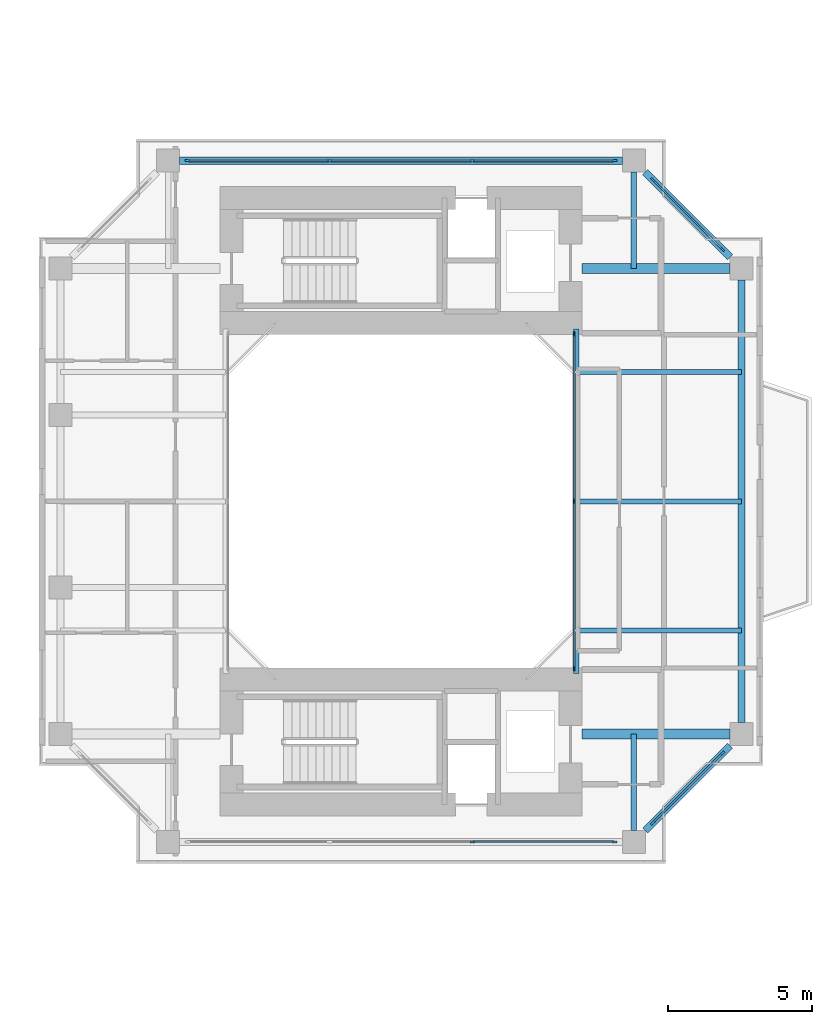
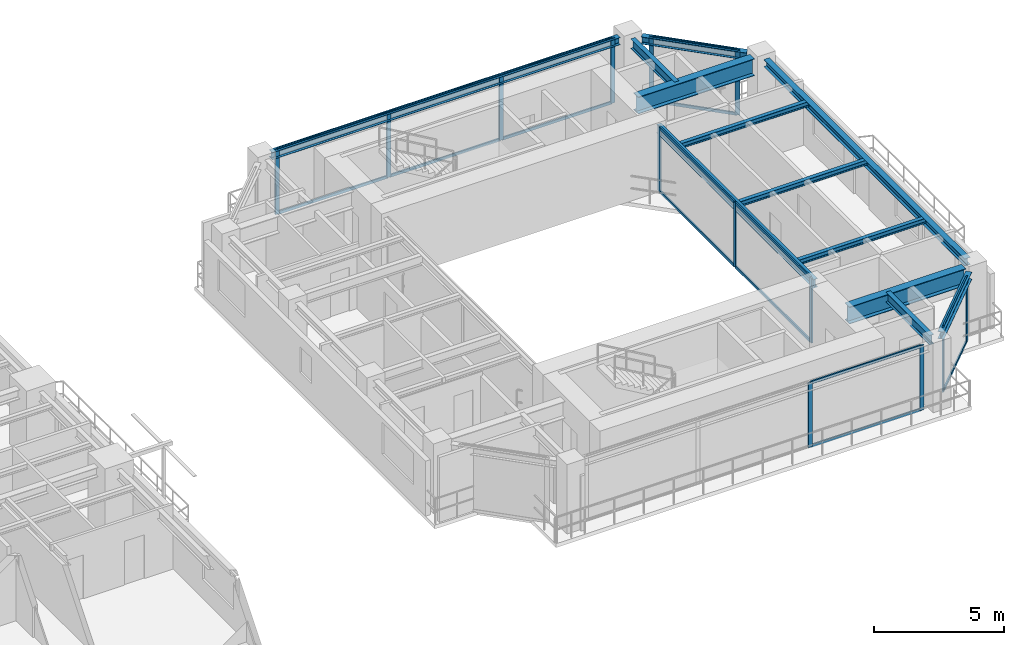
# One storey, part 10 of 23: 29 members, 12 beams, 5 elements without a shape of their own.
"""IFC4 building model written with IfcOpenShell, lengths in metres."""

import ifcopenshell
import ifcopenshell.guid

model = None  # the IFC model being written
_history = None  # IfcOwnerHistory: only IFC2X3 demands one
_inside = {}  # id of a spatial element -> (the spatial element, [elements in it])
_under = {}  # id of a project, library or spatial element -> (it, [spatial elements below it])
_declared = {}  # id of a project -> (the project, [libraries it declares])
_typed = {}  # id of a type object -> (the type object, [elements of that type])
_made_of = {}  # id of a material, layer set ... -> (it, [elements and type objects made of it])


def new_model(schema):
    """Start an empty IFC model of exactly this schema.

    Asked for "IFC4X3", IfcOpenShell would pick the latest addendum, in which some entities
    have other attributes; the version numbers below select the first issue.
    IFC2X3 requires an IfcOwnerHistory on every rooted entity: one is made here for all.
    """
    global model, _history
    if schema == "IFC4X3":
        model = ifcopenshell.file(schema_version=(4, 3, 0, 0))
    else:
        model = ifcopenshell.file(schema=schema)
    _inside.clear()
    _under.clear()
    _declared.clear()
    _typed.clear()
    _made_of.clear()
    _history = None
    if model.schema == "IFC2X3":
        org = make("IfcOrganization", Name="unknown")
        user = make(
            "IfcPersonAndOrganization",
            ThePerson=make("IfcPerson", FamilyName="unknown"),
            TheOrganization=org,
        )
        app = make(
            "IfcApplication",
            ApplicationDeveloper=org,
            Version="unknown",
            ApplicationFullName="unknown",
            ApplicationIdentifier="unknown",
        )
        _history = make(
            "IfcOwnerHistory",
            OwningUser=user,
            OwningApplication=app,
            ChangeAction="ADDED",
            CreationDate=0,
        )
    return model


def make(cls, **values):
    """One entity of the class cls with the attributes given. An attribute that is None is left unset."""
    return model.create_entity(
        cls, **{name: value for name, value in values.items() if value is not None}
    )


def rooted(cls, **values):
    """An entity with a GlobalId (a new one), such as an element, a storey or a relation."""
    return make(cls, GlobalId=ifcopenshell.guid.new(), OwnerHistory=_history, **values)


def si_unit(unit_type, name, prefix=None):
    """IfcSIUnit, for example si_unit("LENGTHUNIT", "METRE", prefix="MILLI")."""
    return make("IfcSIUnit", UnitType=unit_type, Prefix=prefix, Name=name)


def assignment(units):
    """IfcUnitAssignment: the units of a project."""
    return None if units is None else make("IfcUnitAssignment", Units=units)


def point(xyz):
    """IfcCartesianPoint."""
    return None if xyz is None else make("IfcCartesianPoint", Coordinates=xyz)


def direction(xyz):
    """IfcDirection."""
    return None if xyz is None else make("IfcDirection", DirectionRatios=xyz)


def frame(location, z_axis=None, x_axis=None):
    """IfcAxis2Placement3D, a coordinate frame: its origin and axes. An axis left out is left unset."""
    return make(
        "IfcAxis2Placement3D",
        Location=point(location),
        Axis=direction(z_axis),
        RefDirection=direction(x_axis),
    )


def frame_2d(location, x_axis=None):
    """IfcAxis2Placement2D, a coordinate frame in the plane: its origin and x axis."""
    return make(
        "IfcAxis2Placement2D", Location=point(location), RefDirection=direction(x_axis)
    )


def origin():
    """The frame at (0, 0, 0) with its axes left unset."""
    return frame((0.0, 0.0, 0.0))


def origin_2d():
    """The frame at (0, 0) in the plane with its x axis left unset."""
    return frame_2d((0.0, 0.0))


def place(relative_to, where):
    """IfcLocalPlacement: puts the frame where relative to a parent placement (None: the world)."""
    return make(
        "IfcLocalPlacement", PlacementRelTo=relative_to, RelativePlacement=where
    )


def context(
    kind, dimensions, precision=None, world=None, true_north=None, identifier=None
):
    """IfcGeometricRepresentationContext, for example the 3D "Model" context."""
    return make(
        "IfcGeometricRepresentationContext",
        ContextIdentifier=identifier,
        ContextType=kind,
        CoordinateSpaceDimension=dimensions,
        Precision=precision,
        WorldCoordinateSystem=world,
        TrueNorth=true_north,
    )


def subcontext(parent, identifier, kind, view, scale=None):
    """IfcGeometricRepresentationSubContext, for example "Body" below "Model"."""
    return make(
        "IfcGeometricRepresentationSubContext",
        ContextIdentifier=identifier,
        ContextType=kind,
        ParentContext=parent,
        TargetScale=scale,
        TargetView=view,
    )


def project(units=None, contexts=None):
    """IfcProject with its units and contexts."""
    return rooted(
        "IfcProject",
        Name="project",
        RepresentationContexts=contexts,
        UnitsInContext=assignment(units),
    )


def spatial(cls, under=None, at=None, **own):
    """A site, building, storey or space (cls), placed at a placement, below another one or the project."""
    s = rooted(cls, ObjectPlacement=at, **own)
    if under is not None:
        _under.setdefault(under.id(), (under, []))[1].append(s)
    return s


def profile(cls, at=None, kind="AREA", **sizes):
    """A parametric profile (cls). Its sizes go by their IFC names, for example OverallWidth=200.0."""
    return make(cls, ProfileType=kind, Position=at, **sizes)


def rectangle(**sizes):
    """IfcRectangleProfileDef."""
    return profile("IfcRectangleProfileDef", **sizes)


def i_section(**sizes):
    """IfcIShapeProfileDef."""
    return profile("IfcIShapeProfileDef", **sizes)


def extrude(swept, where, along, depth):
    """IfcExtrudedAreaSolid: the profile swept, set in the frame where, extruded along a direction by depth."""
    return make(
        "IfcExtrudedAreaSolid",
        SweptArea=swept,
        Position=where,
        ExtrudedDirection=direction(along),
        Depth=depth,
    )


def shape(context_of_items, identifier, shape_type, items):
    """IfcShapeRepresentation: the items that make up one representation, for example the "Body"."""
    return make(
        "IfcShapeRepresentation",
        ContextOfItems=context_of_items,
        RepresentationIdentifier=identifier,
        RepresentationType=shape_type,
        Items=items,
    )


def source(mapping_origin, context_of_items, identifier, shape_type, items):
    """IfcRepresentationMap: a shape defined once, which mapped items show again and again."""
    return make(
        "IfcRepresentationMap",
        MappingOrigin=mapping_origin,
        MappedRepresentation=shape(context_of_items, identifier, shape_type, items),
    )


def transform(
    local_origin,
    x_axis=None,
    y_axis=None,
    z_axis=None,
    scale=None,
    scale2=None,
    scale3=None,
    uniform=True,
):
    """IfcCartesianTransformationOperator3D, or its non-uniform kind. x_axis, y_axis, z_axis: its Axis1, 2, 3."""
    if uniform:
        return make(
            "IfcCartesianTransformationOperator3D",
            Axis1=direction(x_axis),
            Axis2=direction(y_axis),
            LocalOrigin=point(local_origin),
            Scale=scale,
            Axis3=direction(z_axis),
        )
    return make(
        "IfcCartesianTransformationOperator3DnonUniform",
        Axis1=direction(x_axis),
        Axis2=direction(y_axis),
        LocalOrigin=point(local_origin),
        Scale=scale,
        Axis3=direction(z_axis),
        Scale2=scale2,
        Scale3=scale3,
    )


def mapped(mapping_source, mapping_target):
    """IfcMappedItem: shows the shape of a source again, moved by a transform."""
    return make(
        "IfcMappedItem", MappingSource=mapping_source, MappingTarget=mapping_target
    )


def material(Name=None, Category=None):
    """IfcMaterial."""
    return make("IfcMaterial", Name=Name, Category=Category)


def layer(
    of_material, thickness, ventilated=None, Name=None, Category=None, Priority=None
):
    """IfcMaterialLayer: one layer of a wall or slab, of a material (None: an air gap)."""
    return make(
        "IfcMaterialLayer",
        Material=of_material,
        LayerThickness=thickness,
        IsVentilated=ventilated,
        Name=Name,
        Category=Category,
        Priority=Priority,
    )


def layer_set(layers, Name=None):
    """IfcMaterialLayerSet."""
    return make("IfcMaterialLayerSet", MaterialLayers=layers, LayerSetName=Name)


def material_profile(
    of_material, cross_section, Name=None, Category=None, Priority=None
):
    """IfcMaterialProfile: a cross section and its material."""
    return make(
        "IfcMaterialProfile",
        Name=Name,
        Material=of_material,
        Profile=cross_section,
        Priority=Priority,
        Category=Category,
    )


def profile_set(profiles, Name=None, composite=None):
    """IfcMaterialProfileSet."""
    return make(
        "IfcMaterialProfileSet",
        Name=Name,
        MaterialProfiles=profiles,
        CompositeProfile=composite,
    )


def made_of(thing, what):
    """Note that an element or type object is made of a material, layer set ...; save() writes the relation."""
    if what is not None:
        _made_of.setdefault(what.id(), (what, []))[1].append(thing)
    return thing


def type_object(cls, material=None, **own):
    """A type object (cls), such as IfcWallType, which elements share."""
    return made_of(rooted(cls, **own), material)


def element(
    cls,
    number,
    at=None,
    inside=None,
    cuts=None,
    type_object=None,
    material=None,
    context=None,
    identifier="Body",
    shape_type=None,
    held_by="IfcProductDefinitionShape",
    body=None,
    shapes=None,
    **own,
):
    """One element of the class cls, such as IfcWall. Its Tag is "e" and its number.

    at: its placement. inside: the storey or other place that contains it. cuts: it is an
    opening in that element (IfcRelVoidsElement). A single representation is given by context,
    identifier, shape_type and body (its items); several are given by shapes. held_by: the class
    of the entity that holds the representations. save() writes the other relations.
    """
    e = rooted(cls, Tag="e%d" % number, ObjectPlacement=at, **own)
    if body is not None:
        shapes = [shape(context, identifier, shape_type, body)]
    if shapes is not None:
        e.Representation = make(held_by, Representations=shapes)
    if inside is not None:
        _inside.setdefault(inside.id(), (inside, []))[1].append(e)
    if cuts is not None:
        rooted(
            "IfcRelVoidsElement", RelatingBuildingElement=cuts, RelatedOpeningElement=e
        )
    if type_object is not None:
        _typed.setdefault(type_object.id(), (type_object, []))[1].append(e)
    return made_of(e, material)


def aggregate(whole, parts):
    """IfcRelAggregates: a whole, such as a stair, and the parts it consists of."""
    return rooted("IfcRelAggregates", RelatingObject=whole, RelatedObjects=parts)


def save(model, path):
    """Write the relations noted so far, then the file.

    IfcRelAggregates (storeys below a building ...), IfcRelContainedInSpatialStructure (elements
    in a storey), IfcRelDefinesByType, IfcRelAssociatesMaterial and IfcRelDeclares: one each for
    every whole, place, type object, material and project.
    """
    for whole, parts in _under.values():
        aggregate(whole, parts)
    for where, things in _inside.values():
        rooted(
            "IfcRelContainedInSpatialStructure",
            RelatedElements=things,
            RelatingStructure=where,
        )
    for kind, things in _typed.values():
        rooted("IfcRelDefinesByType", RelatedObjects=things, RelatingType=kind)
    for what, things in _made_of.values():
        rooted("IfcRelAssociatesMaterial", RelatedObjects=things, RelatingMaterial=what)
    for by, libraries in _declared.values():
        rooted("IfcRelDeclares", RelatingContext=by, RelatedDefinitions=libraries)
    model.write(path)


model = new_model("IFC4")

# Units and contexts
model_context = context("Model", 3, precision=1e-05, world=origin(), true_north=direction((0.0, 1.0)))
body_context = subcontext(model_context, "Body", "Model", "MODEL_VIEW")
ifc_project = project(units=[si_unit("LENGTHUNIT", "METRE"), si_unit("AREAUNIT", "SQUARE_METRE"), si_unit("VOLUMEUNIT", "CUBIC_METRE"), si_unit("PLANEANGLEUNIT", "RADIAN"), si_unit("MASSUNIT", "GRAM", prefix="KILO"), si_unit("THERMODYNAMICTEMPERATUREUNIT", "KELVIN"), si_unit("POWERUNIT", "WATT")], contexts=[model_context])

# Site, building, storey
site_placement = place(None, origin())
site = spatial("IfcSite", under=ifc_project, at=site_placement, CompositionType="ELEMENT")
building_placement = place(site_placement, origin())
building = spatial("IfcBuilding", under=site, at=building_placement, Name="Qiaomeng Ring Towers", CompositionType="ELEMENT")
storey_placement = place(building_placement, frame((0.0, 0.0, 89.25)))
storey = spatial("IfcBuildingStorey", under=building, at=storey_placement, Name="L25", CompositionType="ELEMENT", Elevation=89.25)

# Beams
ifc_material_1 = material(Name="Steel Q355B", Category="steel")
ifc_material_profile_1 = material_profile(ifc_material_1, i_section(OverallWidth=0.199951171875, OverallDepth=0.39990234375, WebThickness=0.008056640625, FlangeThickness=0.012939453125, FilletRadius=0.01611328125, at=origin_2d()), Name="HN 400x200x8x13")
ifc_profile_set_1 = profile_set([ifc_material_profile_1], Name="Steel Q355B")
beam_type_1 = type_object("IfcBeamType", Name="STR-BM-HN400", PredefinedType="SPANDREL", material=ifc_profile_set_1)
shared_shape_1 = source(origin(), body_context, "Body", "SweptSolid", [
    extrude(i_section(OverallWidth=0.199951171875, OverallDepth=0.39990234375, WebThickness=0.008056640625, FlangeThickness=0.012939453125, FilletRadius=0.01611328125, at=origin_2d()), origin(), (0.0, 0.0, 1.0), 12.0),
])
beam_placement = place(storey_placement, frame((66.60009765625, 17.0, 2.830078125), z_axis=(0.0, 1.0, 0.0), x_axis=(-1.0, 0.0, 0.0)))
element("IfcBeam", 1, at=beam_placement, inside=storey, type_object=beam_type_1, Name="L25 beam STR-BM-L25-T2-WELL-E", PredefinedType="SPANDREL", context=body_context, shape_type="MappedRepresentation", body=[
    mapped(shared_shape_1, transform((0.0, 0.0, 0.0), x_axis=(1.0, 0.0, 0.0), y_axis=(0.0, 1.0, 0.0), z_axis=(0.0, 0.0, 1.0), scale=1.0)),
])
ifc_material_profile_2 = material_profile(ifc_material_1, i_section(OverallWidth=0.25, OverallDepth=0.340087890625, WebThickness=0.009033203125, FlangeThickness=0.013916015625, FilletRadius=0.02001953125, at=origin_2d()), Name="HM 340x250x9x14")
ifc_profile_set_2 = profile_set([ifc_material_profile_2], Name="Steel Q355B")
beam_type_2 = type_object("IfcBeamType", Name="STR-BM-HM340", PredefinedType="SPANDREL", material=ifc_profile_set_2)
shared_shape_2 = source(origin(), body_context, "Body", "SweptSolid", [
    extrude(i_section(OverallWidth=0.25, OverallDepth=0.340087890625, WebThickness=0.009033203125, FlangeThickness=0.013916015625, FilletRadius=0.02001953125, at=origin_2d()), origin(), (0.0, 0.0, 1.0), 15.40185546875),
])
for number, where, z_axis, x_axis, name in (
    (2, (72.35009765625, 15.299072265625, 2.860107421875), (0.0, 1.0, 0.0), (-1.0, 0.0, 0.0), "L25 beam STR-SP-L25-T2-E1-E2"),
    (3, (68.200927734375, 34.85009765625, 2.860107421875), (-1.0, 0.0, 0.0), (0.0, -1.0, 0.0), "L25 beam STR-SP-L25-T2-N2-N1"),
):
    element("IfcBeam", number, at=place(storey_placement, frame(where, z_axis=z_axis, x_axis=x_axis)), inside=storey, type_object=beam_type_2, Name=name, PredefinedType="SPANDREL", context=body_context, shape_type="MappedRepresentation", body=[
        mapped(shared_shape_2, transform((0.0, 0.0, 0.0), x_axis=(1.0, 0.0, 0.0), y_axis=(0.0, 1.0, 0.0), z_axis=(0.0, 0.0, 1.0), scale=1.0)),
    ])
shared_shape_3 = source(origin(), body_context, "Body", "SweptSolid", [
    extrude(i_section(OverallWidth=0.25, OverallDepth=0.340087890625, WebThickness=0.009033203125, FlangeThickness=0.013916015625, FilletRadius=0.02001953125, at=origin_2d()), origin(), (0.0, 0.0, 1.0), 4.173828125),
])
for number, where, z_axis, x_axis, name in (
    (4, (68.999267578125, 11.54931640625, 2.860107421875), (0.707106781187, 0.707106781187, 0.0), (-0.707106781187, 0.707106781187, 0.0), "L25 beam STR-SP-L25-T2-S2-E1"),
    (5, (71.95068359375, 31.499267578125, 2.860107421875), (-0.707106781187, 0.707106781187, 0.0), (-0.707106781187, -0.707106781187, 0.0), "L25 beam STR-SP-L25-T2-E2-N2"),
):
    element("IfcBeam", number, at=place(storey_placement, frame(where, z_axis=z_axis, x_axis=x_axis)), inside=storey, type_object=beam_type_2, Name=name, PredefinedType="SPANDREL", context=body_context, shape_type="MappedRepresentation", body=[
        mapped(shared_shape_3, transform((0.0, 0.0, 0.0), x_axis=(1.0, 0.0, 0.0), y_axis=(0.0, 1.0, 0.0), z_axis=(0.0, 0.0, 1.0), scale=1.0)),
    ])
ifc_material_2 = material(Name="Steel Q390GJC", Category="steel")
ifc_material_profile_3 = material_profile(ifc_material_2, i_section(OverallWidth=0.35009765625, OverallDepth=0.800048828125, WebThickness=0.01611328125, FlangeThickness=0.028076171875, at=origin_2d()), Name="WH 800x350x16x28")
ifc_profile_set_3 = profile_set([ifc_material_profile_3], Name="Steel Q390GJC")
beam_type_3 = type_object("IfcBeamType", Name="STR-BM-WH800", PredefinedType="BEAM", material=ifc_profile_set_3)
shared_shape_4 = source(origin(), body_context, "Body", "SweptSolid", [
    extrude(i_section(OverallWidth=0.35009765625, OverallDepth=0.800048828125, WebThickness=0.01611328125, FlangeThickness=0.028076171875, at=origin_2d()), origin(), (0.0, 0.0, 1.0), 5.15087890625),
])
for number, where, z_axis, x_axis, name in (
    (6, (66.800048828125, 14.89990234375, 2.6298828125), (1.0, 0.0, 0.0), (0.0, 1.0, 0.0), "L25 beam STR-BM-L25-T2-RAD-E1"),
    (7, (66.800048828125, 31.10009765625, 2.6298828125), (1.0, 0.0, 0.0), (0.0, 1.0, 0.0), "L25 beam STR-BM-L25-T2-RAD-E2"),
):
    element("IfcBeam", number, at=place(storey_placement, frame(where, z_axis=z_axis, x_axis=x_axis)), inside=storey, type_object=beam_type_3, Name=name, PredefinedType="BEAM", context=body_context, shape_type="MappedRepresentation", body=[
        mapped(shared_shape_4, transform((0.0, 0.0, 0.0), x_axis=(1.0, 0.0, 0.0), y_axis=(0.0, 1.0, 0.0), z_axis=(0.0, 0.0, 1.0), scale=1.0)),
    ])
ifc_material_profile_4 = material_profile(ifc_material_1, i_section(OverallWidth=0.199951171875, OverallDepth=0.449951171875, WebThickness=0.009033203125, FlangeThickness=0.013916015625, FilletRadius=0.01806640625, at=origin_2d()), Name="HN 450x200x9x14")
ifc_profile_set_4 = profile_set([ifc_material_profile_4], Name="Steel Q355B")
beam_type_4 = type_object("IfcBeamType", Name="STR-BM-HN450", PredefinedType="SPANDREL", material=ifc_profile_set_4)
shared_shape_5 = source(origin(), body_context, "Body", "SweptSolid", [
    extrude(i_section(OverallWidth=0.199951171875, OverallDepth=0.449951171875, WebThickness=0.009033203125, FlangeThickness=0.013916015625, FilletRadius=0.01806640625, at=origin_2d()), origin(), (0.0, 0.0, 1.0), 3.350830078125),
])
for number, where, z_axis, x_axis, name in (
    (8, (68.60009765625, 34.450927734375, 2.804931640625), (0.0, -1.0, 0.0), (1.0, 0.0, 0.0), "L25 beam STR-BM-L25-T2-RAD-N2"),
    (9, (68.60009765625, 11.549072265625, 2.804931640625), (0.0, 1.0, 0.0), (-1.0, 0.0, 0.0), "L25 beam STR-BM-L25-T2-RAD-S2"),
):
    element("IfcBeam", number, at=place(storey_placement, frame(where, z_axis=z_axis, x_axis=x_axis)), inside=storey, type_object=beam_type_4, Name=name, PredefinedType="SPANDREL", context=body_context, shape_type="MappedRepresentation", body=[
        mapped(shared_shape_5, transform((0.0, 0.0, 0.0), x_axis=(1.0, 0.0, 0.0), y_axis=(0.0, 1.0, 0.0), z_axis=(0.0, 0.0, 1.0), scale=1.0)),
    ])
ifc_material_profile_5 = material_profile(ifc_material_1, i_section(OverallWidth=0.175048828125, OverallDepth=0.243896484375, WebThickness=0.007080078125, FlangeThickness=0.010986328125, FilletRadius=0.01611328125, at=origin_2d()), Name="HM 244x175x7x11")
ifc_profile_set_5 = profile_set([ifc_material_profile_5], Name="Steel Q355B")
beam_type_5 = type_object("IfcBeamType", Name="STR-BM-HM244", PredefinedType="JOIST", material=ifc_profile_set_5)
shared_shape_6 = source(origin(), body_context, "Body", "SweptSolid", [
    extrude(i_section(OverallWidth=0.175048828125, OverallDepth=0.243896484375, WebThickness=0.007080078125, FlangeThickness=0.010986328125, FilletRadius=0.01611328125, at=origin_2d()), origin(), (0.0, 0.0, 1.0), 5.75),
])
for number, where, z_axis, x_axis, name in (
    (10, (66.60009765625, 18.5, 2.907958984375), (1.0, 0.0, 0.0), (0.0, 1.0, 0.0), "L25 beam STR-JST-L25-T2E-1"),
    (11, (66.60009765625, 23.0, 2.907958984375), (1.0, 0.0, 0.0), (0.0, 1.0, 0.0), "L25 beam STR-JST-L25-T2E-2"),
    (12, (66.60009765625, 27.5, 2.907958984375), (1.0, 0.0, 0.0), (0.0, 1.0, 0.0), "L25 beam STR-JST-L25-T2E-3"),
):
    element("IfcBeam", number, at=place(storey_placement, frame(where, z_axis=z_axis, x_axis=x_axis)), inside=storey, type_object=beam_type_5, Name=name, PredefinedType="JOIST", context=body_context, shape_type="MappedRepresentation", body=[
        mapped(shared_shape_6, transform((0.0, 0.0, 0.0), x_axis=(1.0, 0.0, 0.0), y_axis=(0.0, 1.0, 0.0), z_axis=(0.0, 0.0, 1.0), scale=1.0)),
    ])

# Curtain wall, members
ifc_material_3 = material(Name="Fluorocarbon dark-grey aluminium", Category="aluminium")
ifc_layer_1 = layer(ifc_material_3, 0.139892578125, Name="Fluorocarbon dark-grey aluminium")
ifc_layer_set_1 = layer_set([ifc_layer_1], Name="Fluorocarbon dark-grey aluminium")
curtain_wall_type_1 = type_object("IfcCurtainWallType", Name="ARC-CW-4", PredefinedType="NOTDEFINED", material=ifc_layer_set_1)
curtain_wall_1_placement = place(storey_placement, origin())
curtain_wall_1 = element("IfcCurtainWall", 13, at=curtain_wall_1_placement, inside=storey, type_object=curtain_wall_type_1, Name="L25 Curtain Wall CW4", PredefinedType="NOTDEFINED")
ifc_material_profile_6 = material_profile(ifc_material_3, rectangle(XDim=0.06494140625, YDim=0.1298828125, at=origin_2d()), Name="ALU TRAN 65x130")
ifc_profile_set_6 = profile_set([ifc_material_profile_6], Name="Fluorocarbon dark-grey aluminium")
member_type_1 = type_object("IfcMemberType", Name="ARC-CWT-120", PredefinedType="USERDEFINED", material=ifc_profile_set_6)
shared_shape_7 = source(origin(), body_context, "Body", "SweptSolid", [
    extrude(rectangle(XDim=0.06494140625, YDim=0.1298828125, at=origin_2d()), origin(), (0.0, 0.0, 1.0), 5.75244140625),
])
member_1_placement = place(storey_placement, frame((66.52001953125, 17.215087890625, 0.032470703125), z_axis=(0.0, 1.0, 0.0), x_axis=(-1.0, 0.0, 0.0)))
member_1 = element("IfcMember", 14, at=member_1_placement, type_object=member_type_1, Name="CW4 transom 1.1", ObjectType="TRANSOM", PredefinedType="USERDEFINED", context=body_context, shape_type="MappedRepresentation", body=[
    mapped(shared_shape_7, transform((0.0, 0.0, 0.0), x_axis=(1.0, 0.0, 0.0), y_axis=(0.0, 1.0, 0.0), z_axis=(0.0, 0.0, 1.0), scale=1.0)),
])
member_2_placement = place(storey_placement, frame((66.52001953125, 17.215087890625, 2.99755859375), z_axis=(0.0, 1.0, 0.0), x_axis=(-1.0, 0.0, 0.0)))
member_2 = element("IfcMember", 15, at=member_2_placement, type_object=member_type_1, Name="CW4 transom 1.2", ObjectType="TRANSOM", PredefinedType="USERDEFINED", context=body_context, shape_type="MappedRepresentation", body=[
    mapped(shared_shape_7, transform((0.0, 0.0, 0.0), x_axis=(1.0, 0.0, 0.0), y_axis=(0.0, 1.0, 0.0), z_axis=(0.0, 0.0, 1.0), scale=1.0)),
])
member_3_placement = place(storey_placement, frame((66.52001953125, 23.032470703125, 0.032470703125), z_axis=(0.0, 1.0, 0.0), x_axis=(-1.0, 0.0, 0.0)))
member_3 = element("IfcMember", 16, at=member_3_placement, type_object=member_type_1, Name="CW4 transom 2.1", ObjectType="TRANSOM", PredefinedType="USERDEFINED", context=body_context, shape_type="MappedRepresentation", body=[
    mapped(shared_shape_7, transform((0.0, 0.0, 0.0), x_axis=(1.0, 0.0, 0.0), y_axis=(0.0, 1.0, 0.0), z_axis=(0.0, 0.0, 1.0), scale=1.0)),
])
member_4_placement = place(storey_placement, frame((66.52001953125, 23.032470703125, 2.99755859375), z_axis=(0.0, 1.0, 0.0), x_axis=(-1.0, 0.0, 0.0)))
member_4 = element("IfcMember", 17, at=member_4_placement, type_object=member_type_1, Name="CW4 transom 2.2", ObjectType="TRANSOM", PredefinedType="USERDEFINED", context=body_context, shape_type="MappedRepresentation", body=[
    mapped(shared_shape_7, transform((0.0, 0.0, 0.0), x_axis=(1.0, 0.0, 0.0), y_axis=(0.0, 1.0, 0.0), z_axis=(0.0, 0.0, 1.0), scale=1.0)),
])
ifc_material_profile_7 = material_profile(ifc_material_3, rectangle(XDim=0.06494140625, YDim=0.159912109375, at=origin_2d()), Name="ALU MULL 65x160")
ifc_profile_set_7 = profile_set([ifc_material_profile_7], Name="Fluorocarbon dark-grey aluminium")
member_type_2 = type_object("IfcMemberType", Name="ARC-CWM-140", PredefinedType="MULLION", material=ifc_profile_set_7)
shared_shape_8 = source(origin(), body_context, "Body", "SweptSolid", [
    extrude(rectangle(XDim=0.06494140625, YDim=0.159912109375, at=origin_2d()), origin(), (0.0, 0.0, 1.0), 3.030029296875),
])
member_5_placement = place(storey_placement, frame((66.52001953125, 17.1826171875, 0.0), z_axis=(0.0, 0.0, 1.0), x_axis=(-1.0, 0.0, 0.0)))
member_5 = element("IfcMember", 18, at=member_5_placement, type_object=member_type_2, Name="CW4 mullion 1", PredefinedType="MULLION", context=body_context, shape_type="MappedRepresentation", body=[
    mapped(shared_shape_8, transform((0.0, 0.0, 0.0), x_axis=(1.0, 0.0, 0.0), y_axis=(0.0, 1.0, 0.0), z_axis=(0.0, 0.0, 1.0), scale=1.0)),
])
member_6_placement = place(storey_placement, frame((66.52001953125, 23.0, 0.0), z_axis=(0.0, 0.0, 1.0), x_axis=(-1.0, 0.0, 0.0)))
member_6 = element("IfcMember", 19, at=member_6_placement, type_object=member_type_2, Name="CW4 mullion 2", PredefinedType="MULLION", context=body_context, shape_type="MappedRepresentation", body=[
    mapped(shared_shape_8, transform((0.0, 0.0, 0.0), x_axis=(1.0, 0.0, 0.0), y_axis=(0.0, 1.0, 0.0), z_axis=(0.0, 0.0, 1.0), scale=1.0)),
])
member_7_placement = place(storey_placement, frame((66.52001953125, 28.8173828125, 0.0), z_axis=(0.0, 0.0, 1.0), x_axis=(-1.0, 0.0, 0.0)))
member_7 = element("IfcMember", 20, at=member_7_placement, type_object=member_type_2, Name="CW4 mullion 3", PredefinedType="MULLION", context=body_context, shape_type="MappedRepresentation", body=[
    mapped(shared_shape_8, transform((0.0, 0.0, 0.0), x_axis=(1.0, 0.0, 0.0), y_axis=(0.0, 1.0, 0.0), z_axis=(0.0, 0.0, 1.0), scale=1.0)),
])
aggregate(curtain_wall_1, [member_5, member_6, member_7, member_1, member_2, member_3, member_4])

ifc_layer_2 = layer(ifc_material_3, 0.14990234375, Name="Fluorocarbon dark-grey aluminium")
ifc_layer_set_2 = layer_set([ifc_layer_2], Name="Fluorocarbon dark-grey aluminium")
curtain_wall_type_2 = type_object("IfcCurtainWallType", Name="ARC-CW-5", PredefinedType="NOTDEFINED", material=ifc_layer_set_2)
curtain_wall_2_placement = place(storey_placement, origin())
curtain_wall_2 = element("IfcCurtainWall", 21, at=curtain_wall_2_placement, inside=storey, type_object=curtain_wall_type_2, Name="L25 Curtain Wall CW5", PredefinedType="NOTDEFINED")
ifc_material_profile_8 = material_profile(ifc_material_3, rectangle(XDim=0.070068359375, YDim=0.179931640625, at=origin_2d()), Name="ALU MULL 70x180")
ifc_profile_set_8 = profile_set([ifc_material_profile_8], Name="Fluorocarbon dark-grey aluminium")
member_type_3 = type_object("IfcMemberType", Name="ARC-CWM-160", PredefinedType="MULLION", material=ifc_profile_set_8)
shared_shape_9 = source(origin(), body_context, "Body", "SweptSolid", [
    extrude(rectangle(XDim=0.070068359375, YDim=0.179931640625, at=origin_2d()), origin(), (0.0, 0.0, 1.0), 3.030029296875),
])
member_8_placement = place(storey_placement, frame((53.074951171875, 34.85009765625, 0.0), z_axis=(0.0, 0.0, 1.0), x_axis=(0.0, 1.0, 0.0)))
member_8 = element("IfcMember", 22, at=member_8_placement, type_object=member_type_3, Name="CW5 mullion 1", PredefinedType="MULLION", context=body_context, shape_type="MappedRepresentation", body=[
    mapped(shared_shape_9, transform((0.0, 0.0, 0.0), x_axis=(1.0, 0.0, 0.0), y_axis=(0.0, 1.0, 0.0), z_axis=(0.0, 0.0, 1.0), scale=1.0)),
])
member_9_placement = place(storey_placement, frame((58.013427734375, 34.85009765625, 0.0), z_axis=(0.0, 0.0, 1.0), x_axis=(0.0, 1.0, 0.0)))
member_9 = element("IfcMember", 23, at=member_9_placement, type_object=member_type_3, Name="CW5 mullion 2", PredefinedType="MULLION", context=body_context, shape_type="MappedRepresentation", body=[
    mapped(shared_shape_9, transform((0.0, 0.0, 0.0), x_axis=(1.0, 0.0, 0.0), y_axis=(0.0, 1.0, 0.0), z_axis=(0.0, 0.0, 1.0), scale=1.0)),
])
member_10_placement = place(storey_placement, frame((62.986572265625, 34.85009765625, 0.0), z_axis=(0.0, 0.0, 1.0), x_axis=(0.0, 1.0, 0.0)))
member_10 = element("IfcMember", 24, at=member_10_placement, type_object=member_type_3, Name="CW5 mullion 3", PredefinedType="MULLION", context=body_context, shape_type="MappedRepresentation", body=[
    mapped(shared_shape_9, transform((0.0, 0.0, 0.0), x_axis=(1.0, 0.0, 0.0), y_axis=(0.0, 1.0, 0.0), z_axis=(0.0, 0.0, 1.0), scale=1.0)),
])
member_11_placement = place(storey_placement, frame((67.925048828125, 34.85009765625, 0.0), z_axis=(0.0, 0.0, 1.0), x_axis=(0.0, 1.0, 0.0)))
member_11 = element("IfcMember", 25, at=member_11_placement, type_object=member_type_3, Name="CW5 mullion 4", PredefinedType="MULLION", context=body_context, shape_type="MappedRepresentation", body=[
    mapped(shared_shape_9, transform((0.0, 0.0, 0.0), x_axis=(1.0, 0.0, 0.0), y_axis=(0.0, 1.0, 0.0), z_axis=(0.0, 0.0, 1.0), scale=1.0)),
])

curtain_wall_3_placement = place(storey_placement, origin())
curtain_wall_3 = element("IfcCurtainWall", 26, at=curtain_wall_3_placement, inside=storey, type_object=curtain_wall_type_2, Name="L25 Curtain Wall CW5", PredefinedType="NOTDEFINED")
member_12_placement = place(storey_placement, frame((69.2646484375, 11.814697265625, 0.0), z_axis=(0.0, 0.0, 1.0), x_axis=(-0.707106781187, 0.707106781187, 0.0)))
member_12 = element("IfcMember", 27, at=member_12_placement, type_object=member_type_3, Name="CW5 mullion 1", PredefinedType="MULLION", context=body_context, shape_type="MappedRepresentation", body=[
    mapped(shared_shape_9, transform((0.0, 0.0, 0.0), x_axis=(1.0, 0.0, 0.0), y_axis=(0.0, 1.0, 0.0), z_axis=(0.0, 0.0, 1.0), scale=1.0)),
])
member_13_placement = place(storey_placement, frame((71.685302734375, 14.2353515625, 0.0), z_axis=(0.0, 0.0, 1.0), x_axis=(-0.707106781187, 0.707106781187, 0.0)))
member_13 = element("IfcMember", 28, at=member_13_placement, type_object=member_type_3, Name="CW5 mullion 2", PredefinedType="MULLION", context=body_context, shape_type="MappedRepresentation", body=[
    mapped(shared_shape_9, transform((0.0, 0.0, 0.0), x_axis=(1.0, 0.0, 0.0), y_axis=(0.0, 1.0, 0.0), z_axis=(0.0, 0.0, 1.0), scale=1.0)),
])

curtain_wall_4_placement = place(storey_placement, origin())
curtain_wall_4 = element("IfcCurtainWall", 29, at=curtain_wall_4_placement, inside=storey, type_object=curtain_wall_type_2, Name="L25 Curtain Wall CW5", PredefinedType="NOTDEFINED")
member_14_placement = place(storey_placement, frame((71.685302734375, 31.7646484375, 0.0), z_axis=(0.0, 0.0, 1.0), x_axis=(-0.707106781187, -0.707106781187, 0.0)))
member_14 = element("IfcMember", 30, at=member_14_placement, type_object=member_type_3, Name="CW5 mullion 1", PredefinedType="MULLION", context=body_context, shape_type="MappedRepresentation", body=[
    mapped(shared_shape_9, transform((0.0, 0.0, 0.0), x_axis=(1.0, 0.0, 0.0), y_axis=(0.0, 1.0, 0.0), z_axis=(0.0, 0.0, 1.0), scale=1.0)),
])
member_15_placement = place(storey_placement, frame((69.2646484375, 34.185302734375, 0.0), z_axis=(0.0, 0.0, 1.0), x_axis=(-0.707106781187, -0.707106781187, 0.0)))
member_15 = element("IfcMember", 31, at=member_15_placement, type_object=member_type_3, Name="CW5 mullion 2", PredefinedType="MULLION", context=body_context, shape_type="MappedRepresentation", body=[
    mapped(shared_shape_9, transform((0.0, 0.0, 0.0), x_axis=(1.0, 0.0, 0.0), y_axis=(0.0, 1.0, 0.0), z_axis=(0.0, 0.0, 1.0), scale=1.0)),
])

curtain_wall_5_placement = place(storey_placement, origin())
curtain_wall_5 = element("IfcCurtainWall", 32, at=curtain_wall_5_placement, inside=storey, type_object=curtain_wall_type_2, Name="L25 Curtain Wall CW5", PredefinedType="NOTDEFINED")
member_16_placement = place(storey_placement, frame((62.986572265625, 11.14990234375, 0.0), z_axis=(0.0, 0.0, 1.0), x_axis=(0.0, 1.0, 0.0)))
member_16 = element("IfcMember", 33, at=member_16_placement, type_object=member_type_3, Name="CW5 mullion 3", PredefinedType="MULLION", context=body_context, shape_type="MappedRepresentation", body=[
    mapped(shared_shape_9, transform((0.0, 0.0, 0.0), x_axis=(1.0, 0.0, 0.0), y_axis=(0.0, 1.0, 0.0), z_axis=(0.0, 0.0, 1.0), scale=1.0)),
])
member_17_placement = place(storey_placement, frame((67.925048828125, 11.14990234375, 0.0), z_axis=(0.0, 0.0, 1.0), x_axis=(0.0, 1.0, 0.0)))
member_17 = element("IfcMember", 34, at=member_17_placement, type_object=member_type_3, Name="CW5 mullion 4", PredefinedType="MULLION", context=body_context, shape_type="MappedRepresentation", body=[
    mapped(shared_shape_9, transform((0.0, 0.0, 0.0), x_axis=(1.0, 0.0, 0.0), y_axis=(0.0, 1.0, 0.0), z_axis=(0.0, 0.0, 1.0), scale=1.0)),
])

# Member
shared_shape_10 = source(origin(), body_context, "Body", "SweptSolid", [
    extrude(rectangle(XDim=0.06494140625, YDim=0.1298828125, at=origin_2d()), origin(), (0.0, 0.0, 1.0), 4.8681640625),
])
member_18_placement = place(storey_placement, frame((53.110107421875, 34.85009765625, 0.032470703125), z_axis=(1.0, 0.0, 0.0), x_axis=(0.0, 1.0, 0.0)))
member_18 = element("IfcMember", 35, at=member_18_placement, type_object=member_type_1, Name="CW5 transom 1.1", ObjectType="TRANSOM", PredefinedType="USERDEFINED", context=body_context, shape_type="MappedRepresentation", body=[
    mapped(shared_shape_10, transform((0.0, 0.0, 0.0), x_axis=(1.0, 0.0, 0.0), y_axis=(0.0, 1.0, 0.0), z_axis=(0.0, 0.0, 1.0), scale=1.0)),
])

member_19_placement = place(storey_placement, frame((53.110107421875, 34.85009765625, 2.99755859375), z_axis=(1.0, 0.0, 0.0), x_axis=(0.0, 1.0, 0.0)))
member_19 = element("IfcMember", 36, at=member_19_placement, type_object=member_type_1, Name="CW5 transom 1.2", ObjectType="TRANSOM", PredefinedType="USERDEFINED", context=body_context, shape_type="MappedRepresentation", body=[
    mapped(shared_shape_10, transform((0.0, 0.0, 0.0), x_axis=(1.0, 0.0, 0.0), y_axis=(0.0, 1.0, 0.0), z_axis=(0.0, 0.0, 1.0), scale=1.0)),
])

member_20_placement = place(storey_placement, frame((63.021728515625, 34.85009765625, 0.032470703125), z_axis=(1.0, 0.0, 0.0), x_axis=(0.0, 1.0, 0.0)))
member_20 = element("IfcMember", 37, at=member_20_placement, type_object=member_type_1, Name="CW5 transom 3.1", ObjectType="TRANSOM", PredefinedType="USERDEFINED", context=body_context, shape_type="MappedRepresentation", body=[
    mapped(shared_shape_10, transform((0.0, 0.0, 0.0), x_axis=(1.0, 0.0, 0.0), y_axis=(0.0, 1.0, 0.0), z_axis=(0.0, 0.0, 1.0), scale=1.0)),
])

member_21_placement = place(storey_placement, frame((63.021728515625, 34.85009765625, 2.99755859375), z_axis=(1.0, 0.0, 0.0), x_axis=(0.0, 1.0, 0.0)))
member_21 = element("IfcMember", 38, at=member_21_placement, type_object=member_type_1, Name="CW5 transom 3.2", ObjectType="TRANSOM", PredefinedType="USERDEFINED", context=body_context, shape_type="MappedRepresentation", body=[
    mapped(shared_shape_10, transform((0.0, 0.0, 0.0), x_axis=(1.0, 0.0, 0.0), y_axis=(0.0, 1.0, 0.0), z_axis=(0.0, 0.0, 1.0), scale=1.0)),
])

member_22_placement = place(storey_placement, frame((63.021728515625, 11.14990234375, 0.032470703125), z_axis=(1.0, 0.0, 0.0), x_axis=(0.0, 1.0, 0.0)))
member_22 = element("IfcMember", 39, at=member_22_placement, type_object=member_type_1, Name="CW5 transom 3.1", ObjectType="TRANSOM", PredefinedType="USERDEFINED", context=body_context, shape_type="MappedRepresentation", body=[
    mapped(shared_shape_10, transform((0.0, 0.0, 0.0), x_axis=(1.0, 0.0, 0.0), y_axis=(0.0, 1.0, 0.0), z_axis=(0.0, 0.0, 1.0), scale=1.0)),
])

member_23_placement = place(storey_placement, frame((63.021728515625, 11.14990234375, 2.99755859375), z_axis=(1.0, 0.0, 0.0), x_axis=(0.0, 1.0, 0.0)))
member_23 = element("IfcMember", 40, at=member_23_placement, type_object=member_type_1, Name="CW5 transom 3.2", ObjectType="TRANSOM", PredefinedType="USERDEFINED", context=body_context, shape_type="MappedRepresentation", body=[
    mapped(shared_shape_10, transform((0.0, 0.0, 0.0), x_axis=(1.0, 0.0, 0.0), y_axis=(0.0, 1.0, 0.0), z_axis=(0.0, 0.0, 1.0), scale=1.0)),
])

aggregate(curtain_wall_5, [member_16, member_17, member_22, member_23])

shared_shape_11 = source(origin(), body_context, "Body", "SweptSolid", [
    extrude(rectangle(XDim=0.06494140625, YDim=0.1298828125, at=origin_2d()), origin(), (0.0, 0.0, 1.0), 4.9033203125),
])
member_24_placement = place(storey_placement, frame((58.04833984375, 34.85009765625, 0.032470703125), z_axis=(1.0, 0.0, 0.0), x_axis=(0.0, 1.0, 0.0)))
member_24 = element("IfcMember", 41, at=member_24_placement, type_object=member_type_1, Name="CW5 transom 2.1", ObjectType="TRANSOM", PredefinedType="USERDEFINED", context=body_context, shape_type="MappedRepresentation", body=[
    mapped(shared_shape_11, transform((0.0, 0.0, 0.0), x_axis=(1.0, 0.0, 0.0), y_axis=(0.0, 1.0, 0.0), z_axis=(0.0, 0.0, 1.0), scale=1.0)),
])

member_25_placement = place(storey_placement, frame((58.04833984375, 34.85009765625, 2.99755859375), z_axis=(1.0, 0.0, 0.0), x_axis=(0.0, 1.0, 0.0)))
member_25 = element("IfcMember", 42, at=member_25_placement, type_object=member_type_1, Name="CW5 transom 2.2", ObjectType="TRANSOM", PredefinedType="USERDEFINED", context=body_context, shape_type="MappedRepresentation", body=[
    mapped(shared_shape_11, transform((0.0, 0.0, 0.0), x_axis=(1.0, 0.0, 0.0), y_axis=(0.0, 1.0, 0.0), z_axis=(0.0, 0.0, 1.0), scale=1.0)),
])

aggregate(curtain_wall_2, [member_8, member_9, member_10, member_11, member_18, member_19, member_24, member_25, member_20, member_21])

shared_shape_12 = source(origin(), body_context, "Body", "SweptSolid", [
    extrude(rectangle(XDim=0.06494140625, YDim=0.1298828125, at=origin_2d()), origin(), (0.0, 0.0, 1.0), 3.352783203125),
])
member_26_placement = place(storey_placement, frame((69.28955078125, 11.839599609375, 0.032470703125), z_axis=(0.707106781187, 0.707106781187, 0.0), x_axis=(-0.707106781187, 0.707106781187, 0.0)))
member_26 = element("IfcMember", 43, at=member_26_placement, type_object=member_type_1, Name="CW5 transom 1.1", ObjectType="TRANSOM", PredefinedType="USERDEFINED", context=body_context, shape_type="MappedRepresentation", body=[
    mapped(shared_shape_12, transform((0.0, 0.0, 0.0), x_axis=(1.0, 0.0, 0.0), y_axis=(0.0, 1.0, 0.0), z_axis=(0.0, 0.0, 1.0), scale=1.0)),
])

member_27_placement = place(storey_placement, frame((69.28955078125, 11.839599609375, 2.99755859375), z_axis=(0.707106781187, 0.707106781187, 0.0), x_axis=(-0.707106781187, 0.707106781187, 0.0)))
member_27 = element("IfcMember", 44, at=member_27_placement, type_object=member_type_1, Name="CW5 transom 1.2", ObjectType="TRANSOM", PredefinedType="USERDEFINED", context=body_context, shape_type="MappedRepresentation", body=[
    mapped(shared_shape_12, transform((0.0, 0.0, 0.0), x_axis=(1.0, 0.0, 0.0), y_axis=(0.0, 1.0, 0.0), z_axis=(0.0, 0.0, 1.0), scale=1.0)),
])

aggregate(curtain_wall_3, [member_12, member_13, member_26, member_27])

member_28_placement = place(storey_placement, frame((71.660400390625, 31.78955078125, 0.032470703125), z_axis=(-0.707106781187, 0.707106781187, 0.0), x_axis=(-0.707106781187, -0.707106781187, 0.0)))
member_28 = element("IfcMember", 45, at=member_28_placement, type_object=member_type_1, Name="CW5 transom 1.1", ObjectType="TRANSOM", PredefinedType="USERDEFINED", context=body_context, shape_type="MappedRepresentation", body=[
    mapped(shared_shape_12, transform((0.0, 0.0, 0.0), x_axis=(1.0, 0.0, 0.0), y_axis=(0.0, 1.0, 0.0), z_axis=(0.0, 0.0, 1.0), scale=1.0)),
])

member_29_placement = place(storey_placement, frame((71.660400390625, 31.78955078125, 2.99755859375), z_axis=(-0.707106781187, 0.707106781187, 0.0), x_axis=(-0.707106781187, -0.707106781187, 0.0)))
member_29 = element("IfcMember", 46, at=member_29_placement, type_object=member_type_1, Name="CW5 transom 1.2", ObjectType="TRANSOM", PredefinedType="USERDEFINED", context=body_context, shape_type="MappedRepresentation", body=[
    mapped(shared_shape_12, transform((0.0, 0.0, 0.0), x_axis=(1.0, 0.0, 0.0), y_axis=(0.0, 1.0, 0.0), z_axis=(0.0, 0.0, 1.0), scale=1.0)),
])

aggregate(curtain_wall_4, [member_14, member_15, member_28, member_29])

save(model, "model.ifc")
